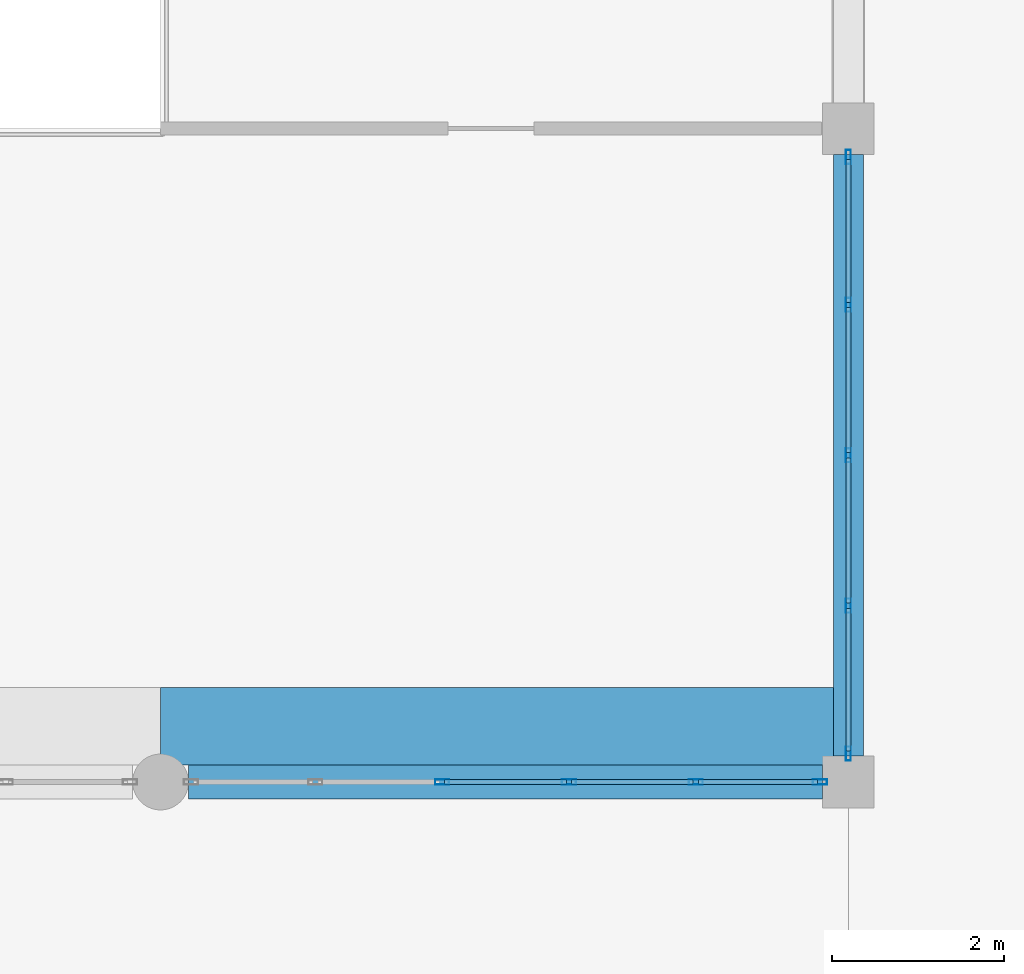
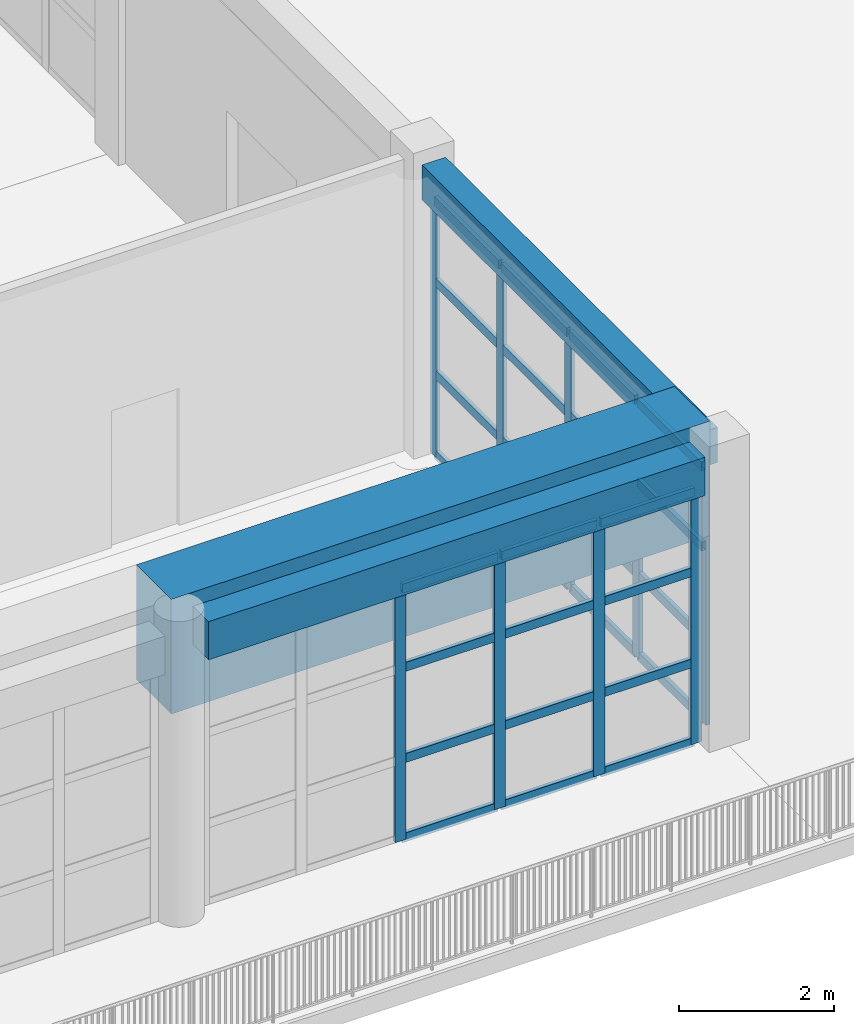
# One storey, part 14 of 32: 37 members, 3 beams, 2 elements without a shape of their own.
"""IFC4 building model written with IfcOpenShell, lengths in metres."""

from ifc_helpers import new_model, si_unit, direction, frame, origin, origin_2d, place, context, subcontext, project, spatial, rectangle, hollow_rectangle, extrude, material, material_profile, profile_set, type_object, element, aggregate, save


model = new_model("IFC4")

# Units and contexts
model_context = context("Model", 3, precision=1e-05, world=origin(), true_north=direction((0.0, 1.0)))
body_context = subcontext(model_context, "Body", "Model", "MODEL_VIEW")
ifc_project = project(units=[si_unit("LENGTHUNIT", "METRE"), si_unit("AREAUNIT", "SQUARE_METRE"), si_unit("VOLUMEUNIT", "CUBIC_METRE"), si_unit("PLANEANGLEUNIT", "RADIAN"), si_unit("MASSUNIT", "GRAM", prefix="KILO")], contexts=[model_context])

# Site, building, storey
site_placement = place(None, origin())
site = spatial("IfcSite", under=ifc_project, at=site_placement, CompositionType="ELEMENT")
building_placement = place(site_placement, origin())
building = spatial("IfcBuilding", under=site, at=building_placement, Name="Zantavel Square City Hall", CompositionType="ELEMENT")
storey_placement = place(building_placement, frame((0.0, 0.0, 23.699951171875)))
storey = spatial("IfcBuildingStorey", under=building, at=storey_placement, Name="L06", CompositionType="ELEMENT", Elevation=23.699951171875)

# Curtain wall, members
ifc_material_1 = material(Name="Anodised aluminium 6063-T6", Category="aluminium")
curtain_wall_type_1 = type_object("IfcCurtainWallType", Name="Curtain Wall TRV1 7000x4030", PredefinedType="USERDEFINED", material=ifc_material_1)
curtain_wall_1_placement = place(storey_placement, origin())
curtain_wall_1 = element("IfcCurtainWall", 1, at=curtain_wall_1_placement, inside=storey, type_object=curtain_wall_type_1, Name="L06 Glazed Curtain Wall CW-L06-153", ObjectType="GLAZED CURTAIN WALL", PredefinedType="USERDEFINED")
ifc_material_profile_1 = material_profile(ifc_material_1, hollow_rectangle(XDim=0.06005859375, YDim=0.1650390625, WallThickness=0.00390625, at=origin_2d()), Name="ALU 60x165x4")
ifc_profile_set_1 = profile_set([ifc_material_profile_1], Name="Anodised aluminium 6063-T6")
member_type_1 = type_object("IfcMemberType", Name="CW Council Gallery Mullion ALU 60x165x4", PredefinedType="MULLION", material=ifc_profile_set_1)
member_1_placement = place(storey_placement, frame((104.0, 37.669921875, 0.0), z_axis=(0.0, 0.0, 1.0), x_axis=(1.0, 0.0, 0.0)))
member_1 = element("IfcMember", 2, at=member_1_placement, type_object=member_type_1, Name="CW-153 mullion 1", PredefinedType="MULLION", context=body_context, shape_type="SweptSolid", body=[
    extrude(hollow_rectangle(XDim=0.06005859375, YDim=0.1650390625, WallThickness=0.00390625, at=origin_2d()), origin(), (0.0, 0.0, 1.0), 4.030029296875),
])
member_2_placement = place(storey_placement, frame((104.0, 35.949951171875, 0.0), z_axis=(0.0, 0.0, 1.0), x_axis=(1.0, 0.0, 0.0)))
member_2 = element("IfcMember", 3, at=member_2_placement, type_object=member_type_1, Name="CW-153 mullion 2", PredefinedType="MULLION", context=body_context, shape_type="SweptSolid", body=[
    extrude(hollow_rectangle(XDim=0.06005859375, YDim=0.1650390625, WallThickness=0.00390625, at=origin_2d()), origin(), (0.0, 0.0, 1.0), 4.030029296875),
])
member_3_placement = place(storey_placement, frame((104.0, 34.199951171875, 0.0), z_axis=(0.0, 0.0, 1.0), x_axis=(1.0, 0.0, 0.0)))
member_3 = element("IfcMember", 4, at=member_3_placement, type_object=member_type_1, Name="CW-153 mullion 3", PredefinedType="MULLION", context=body_context, shape_type="SweptSolid", body=[
    extrude(hollow_rectangle(XDim=0.06005859375, YDim=0.1650390625, WallThickness=0.00390625, at=origin_2d()), origin(), (0.0, 0.0, 1.0), 4.030029296875),
])
member_4_placement = place(storey_placement, frame((104.0, 32.449951171875, 0.0), z_axis=(0.0, 0.0, 1.0), x_axis=(1.0, 0.0, 0.0)))
member_4 = element("IfcMember", 5, at=member_4_placement, type_object=member_type_1, Name="CW-153 mullion 4", PredefinedType="MULLION", context=body_context, shape_type="SweptSolid", body=[
    extrude(hollow_rectangle(XDim=0.06005859375, YDim=0.1650390625, WallThickness=0.00390625, at=origin_2d()), origin(), (0.0, 0.0, 1.0), 4.030029296875),
])
member_5_placement = place(storey_placement, frame((104.0, 30.72998046875, 0.0), z_axis=(0.0, 0.0, 1.0), x_axis=(1.0, 0.0, 0.0)))
member_5 = element("IfcMember", 6, at=member_5_placement, type_object=member_type_1, Name="CW-153 mullion 5", PredefinedType="MULLION", context=body_context, shape_type="SweptSolid", body=[
    extrude(hollow_rectangle(XDim=0.06005859375, YDim=0.1650390625, WallThickness=0.00390625, at=origin_2d()), origin(), (0.0, 0.0, 1.0), 4.030029296875),
])

curtain_wall_type_2 = type_object("IfcCurtainWallType", Name="Curtain Wall TRV1 7375x3980", PredefinedType="USERDEFINED", material=ifc_material_1)
curtain_wall_2_placement = place(storey_placement, origin())
curtain_wall_2 = element("IfcCurtainWall", 7, at=curtain_wall_2_placement, inside=storey, type_object=curtain_wall_type_2, Name="L06 Glazed Curtain Wall CW-L06-154", ObjectType="GLAZED CURTAIN WALL", PredefinedType="USERDEFINED")
member_6_placement = place(storey_placement, frame((103.669921875, 30.39990234375, 0.0), z_axis=(0.0, 0.0, 1.0), x_axis=(0.0, -1.0, 0.0)))
member_6 = element("IfcMember", 8, at=member_6_placement, type_object=member_type_1, Name="CW-154 mullion 1", PredefinedType="MULLION", context=body_context, shape_type="SweptSolid", body=[
    extrude(hollow_rectangle(XDim=0.06005859375, YDim=0.1650390625, WallThickness=0.00390625, at=origin_2d()), origin(), (0.0, 0.0, 1.0), 3.97998046875),
])
member_7_placement = place(storey_placement, frame((102.22509765625, 30.39990234375, 0.0), z_axis=(0.0, 0.0, 1.0), x_axis=(0.0, -1.0, 0.0)))
member_7 = element("IfcMember", 9, at=member_7_placement, type_object=member_type_1, Name="CW-154 mullion 2", PredefinedType="MULLION", context=body_context, shape_type="SweptSolid", body=[
    extrude(hollow_rectangle(XDim=0.06005859375, YDim=0.1650390625, WallThickness=0.00390625, at=origin_2d()), origin(), (0.0, 0.0, 1.0), 3.97998046875),
])
member_8_placement = place(storey_placement, frame((100.75, 30.39990234375, 0.0), z_axis=(0.0, 0.0, 1.0), x_axis=(0.0, -1.0, 0.0)))
member_8 = element("IfcMember", 10, at=member_8_placement, type_object=member_type_1, Name="CW-154 mullion 3", PredefinedType="MULLION", context=body_context, shape_type="SweptSolid", body=[
    extrude(hollow_rectangle(XDim=0.06005859375, YDim=0.1650390625, WallThickness=0.00390625, at=origin_2d()), origin(), (0.0, 0.0, 1.0), 3.97998046875),
])
member_9_placement = place(storey_placement, frame((99.27490234375, 30.39990234375, 0.0), z_axis=(0.0, 0.0, 1.0), x_axis=(0.0, -1.0, 0.0)))
member_9 = element("IfcMember", 11, at=member_9_placement, type_object=member_type_1, Name="CW-154 mullion 4", PredefinedType="MULLION", context=body_context, shape_type="SweptSolid", body=[
    extrude(hollow_rectangle(XDim=0.06005859375, YDim=0.1650390625, WallThickness=0.00390625, at=origin_2d()), origin(), (0.0, 0.0, 1.0), 3.97998046875),
])

# Member
ifc_material_profile_2 = material_profile(ifc_material_1, hollow_rectangle(XDim=0.06005859375, YDim=0.139892578125, WallThickness=0.00390625, at=origin_2d()), Name="ALU 60x140x4")
ifc_profile_set_2 = profile_set([ifc_material_profile_2], Name="Anodised aluminium 6063-T6")
member_type_2 = type_object("IfcMemberType", Name="CW Transom ALU 60x140x4", PredefinedType="USERDEFINED", material=ifc_profile_set_2)
member_10_placement = place(storey_placement, frame((104.0, 37.639892578125, 0.030029296875), z_axis=(0.0, -1.0, 0.0), x_axis=(1.0, 0.0, 0.0)))
member_10 = element("IfcMember", 12, at=member_10_placement, type_object=member_type_2, Name="CW-153 transom 1.1", ObjectType="TRANSOM", PredefinedType="USERDEFINED", context=body_context, shape_type="SweptSolid", body=[
    extrude(hollow_rectangle(XDim=0.06005859375, YDim=0.139892578125, WallThickness=0.00390625, at=origin_2d()), origin(), (0.0, 0.0, 1.0), 1.659912109375),
])

member_11_placement = place(storey_placement, frame((104.0, 37.639892578125, 1.2900390625), z_axis=(0.0, -1.0, 0.0), x_axis=(1.0, 0.0, 0.0)))
member_11 = element("IfcMember", 13, at=member_11_placement, type_object=member_type_2, Name="CW-153 transom 1.2", ObjectType="TRANSOM", PredefinedType="USERDEFINED", context=body_context, shape_type="SweptSolid", body=[
    extrude(hollow_rectangle(XDim=0.06005859375, YDim=0.139892578125, WallThickness=0.00390625, at=origin_2d()), origin(), (0.0, 0.0, 1.0), 1.659912109375),
])

member_12_placement = place(storey_placement, frame((104.0, 37.639892578125, 2.739990234375), z_axis=(0.0, -1.0, 0.0), x_axis=(1.0, 0.0, 0.0)))
member_12 = element("IfcMember", 14, at=member_12_placement, type_object=member_type_2, Name="CW-153 transom 1.3", ObjectType="TRANSOM", PredefinedType="USERDEFINED", context=body_context, shape_type="SweptSolid", body=[
    extrude(hollow_rectangle(XDim=0.06005859375, YDim=0.139892578125, WallThickness=0.00390625, at=origin_2d()), origin(), (0.0, 0.0, 1.0), 1.659912109375),
])

member_13_placement = place(storey_placement, frame((104.0, 37.639892578125, 4.0), z_axis=(0.0, -1.0, 0.0), x_axis=(1.0, 0.0, 0.0)))
member_13 = element("IfcMember", 15, at=member_13_placement, type_object=member_type_2, Name="CW-153 transom 1.4", ObjectType="TRANSOM", PredefinedType="USERDEFINED", context=body_context, shape_type="SweptSolid", body=[
    extrude(hollow_rectangle(XDim=0.06005859375, YDim=0.139892578125, WallThickness=0.00390625, at=origin_2d()), origin(), (0.0, 0.0, 1.0), 1.659912109375),
])

member_14_placement = place(storey_placement, frame((104.0, 35.919921875, 0.030029296875), z_axis=(0.0, -1.0, 0.0), x_axis=(1.0, 0.0, 0.0)))
member_14 = element("IfcMember", 16, at=member_14_placement, type_object=member_type_2, Name="CW-153 transom 2.1", ObjectType="TRANSOM", PredefinedType="USERDEFINED", context=body_context, shape_type="SweptSolid", body=[
    extrude(hollow_rectangle(XDim=0.06005859375, YDim=0.139892578125, WallThickness=0.00390625, at=origin_2d()), origin(), (0.0, 0.0, 1.0), 1.68994140625),
])

member_15_placement = place(storey_placement, frame((104.0, 35.919921875, 1.2900390625), z_axis=(0.0, -1.0, 0.0), x_axis=(1.0, 0.0, 0.0)))
member_15 = element("IfcMember", 17, at=member_15_placement, type_object=member_type_2, Name="CW-153 transom 2.2", ObjectType="TRANSOM", PredefinedType="USERDEFINED", context=body_context, shape_type="SweptSolid", body=[
    extrude(hollow_rectangle(XDim=0.06005859375, YDim=0.139892578125, WallThickness=0.00390625, at=origin_2d()), origin(), (0.0, 0.0, 1.0), 1.68994140625),
])

member_16_placement = place(storey_placement, frame((104.0, 35.919921875, 2.739990234375), z_axis=(0.0, -1.0, 0.0), x_axis=(1.0, 0.0, 0.0)))
member_16 = element("IfcMember", 18, at=member_16_placement, type_object=member_type_2, Name="CW-153 transom 2.3", ObjectType="TRANSOM", PredefinedType="USERDEFINED", context=body_context, shape_type="SweptSolid", body=[
    extrude(hollow_rectangle(XDim=0.06005859375, YDim=0.139892578125, WallThickness=0.00390625, at=origin_2d()), origin(), (0.0, 0.0, 1.0), 1.68994140625),
])

member_17_placement = place(storey_placement, frame((104.0, 35.919921875, 4.0), z_axis=(0.0, -1.0, 0.0), x_axis=(1.0, 0.0, 0.0)))
member_17 = element("IfcMember", 19, at=member_17_placement, type_object=member_type_2, Name="CW-153 transom 2.4", ObjectType="TRANSOM", PredefinedType="USERDEFINED", context=body_context, shape_type="SweptSolid", body=[
    extrude(hollow_rectangle(XDim=0.06005859375, YDim=0.139892578125, WallThickness=0.00390625, at=origin_2d()), origin(), (0.0, 0.0, 1.0), 1.68994140625),
])

member_18_placement = place(storey_placement, frame((104.0, 34.169921875, 0.030029296875), z_axis=(0.0, -1.0, 0.0), x_axis=(1.0, 0.0, 0.0)))
member_18 = element("IfcMember", 20, at=member_18_placement, type_object=member_type_2, Name="CW-153 transom 3.1", ObjectType="TRANSOM", PredefinedType="USERDEFINED", context=body_context, shape_type="SweptSolid", body=[
    extrude(hollow_rectangle(XDim=0.06005859375, YDim=0.139892578125, WallThickness=0.00390625, at=origin_2d()), origin(), (0.0, 0.0, 1.0), 1.68994140625),
])

member_19_placement = place(storey_placement, frame((104.0, 34.169921875, 1.2900390625), z_axis=(0.0, -1.0, 0.0), x_axis=(1.0, 0.0, 0.0)))
member_19 = element("IfcMember", 21, at=member_19_placement, type_object=member_type_2, Name="CW-153 transom 3.2", ObjectType="TRANSOM", PredefinedType="USERDEFINED", context=body_context, shape_type="SweptSolid", body=[
    extrude(hollow_rectangle(XDim=0.06005859375, YDim=0.139892578125, WallThickness=0.00390625, at=origin_2d()), origin(), (0.0, 0.0, 1.0), 1.68994140625),
])

member_20_placement = place(storey_placement, frame((104.0, 34.169921875, 2.739990234375), z_axis=(0.0, -1.0, 0.0), x_axis=(1.0, 0.0, 0.0)))
member_20 = element("IfcMember", 22, at=member_20_placement, type_object=member_type_2, Name="CW-153 transom 3.3", ObjectType="TRANSOM", PredefinedType="USERDEFINED", context=body_context, shape_type="SweptSolid", body=[
    extrude(hollow_rectangle(XDim=0.06005859375, YDim=0.139892578125, WallThickness=0.00390625, at=origin_2d()), origin(), (0.0, 0.0, 1.0), 1.68994140625),
])

member_21_placement = place(storey_placement, frame((104.0, 34.169921875, 4.0), z_axis=(0.0, -1.0, 0.0), x_axis=(1.0, 0.0, 0.0)))
member_21 = element("IfcMember", 23, at=member_21_placement, type_object=member_type_2, Name="CW-153 transom 3.4", ObjectType="TRANSOM", PredefinedType="USERDEFINED", context=body_context, shape_type="SweptSolid", body=[
    extrude(hollow_rectangle(XDim=0.06005859375, YDim=0.139892578125, WallThickness=0.00390625, at=origin_2d()), origin(), (0.0, 0.0, 1.0), 1.68994140625),
])

member_22_placement = place(storey_placement, frame((104.0, 32.419921875, 0.030029296875), z_axis=(0.0, -1.0, 0.0), x_axis=(1.0, 0.0, 0.0)))
member_22 = element("IfcMember", 24, at=member_22_placement, type_object=member_type_2, Name="CW-153 transom 4.1", ObjectType="TRANSOM", PredefinedType="USERDEFINED", context=body_context, shape_type="SweptSolid", body=[
    extrude(hollow_rectangle(XDim=0.06005859375, YDim=0.139892578125, WallThickness=0.00390625, at=origin_2d()), origin(), (0.0, 0.0, 1.0), 1.659912109375),
])

member_23_placement = place(storey_placement, frame((104.0, 32.419921875, 1.2900390625), z_axis=(0.0, -1.0, 0.0), x_axis=(1.0, 0.0, 0.0)))
member_23 = element("IfcMember", 25, at=member_23_placement, type_object=member_type_2, Name="CW-153 transom 4.2", ObjectType="TRANSOM", PredefinedType="USERDEFINED", context=body_context, shape_type="SweptSolid", body=[
    extrude(hollow_rectangle(XDim=0.06005859375, YDim=0.139892578125, WallThickness=0.00390625, at=origin_2d()), origin(), (0.0, 0.0, 1.0), 1.659912109375),
])

member_24_placement = place(storey_placement, frame((104.0, 32.419921875, 2.739990234375), z_axis=(0.0, -1.0, 0.0), x_axis=(1.0, 0.0, 0.0)))
member_24 = element("IfcMember", 26, at=member_24_placement, type_object=member_type_2, Name="CW-153 transom 4.3", ObjectType="TRANSOM", PredefinedType="USERDEFINED", context=body_context, shape_type="SweptSolid", body=[
    extrude(hollow_rectangle(XDim=0.06005859375, YDim=0.139892578125, WallThickness=0.00390625, at=origin_2d()), origin(), (0.0, 0.0, 1.0), 1.659912109375),
])

member_25_placement = place(storey_placement, frame((104.0, 32.419921875, 4.0), z_axis=(0.0, -1.0, 0.0), x_axis=(1.0, 0.0, 0.0)))
member_25 = element("IfcMember", 27, at=member_25_placement, type_object=member_type_2, Name="CW-153 transom 4.4", ObjectType="TRANSOM", PredefinedType="USERDEFINED", context=body_context, shape_type="SweptSolid", body=[
    extrude(hollow_rectangle(XDim=0.06005859375, YDim=0.139892578125, WallThickness=0.00390625, at=origin_2d()), origin(), (0.0, 0.0, 1.0), 1.659912109375),
])

aggregate(curtain_wall_1, [member_1, member_2, member_3, member_4, member_5, member_10, member_11, member_12, member_13, member_14, member_15, member_16, member_17, member_18, member_19, member_20, member_21, member_22, member_23, member_24, member_25])

member_26_placement = place(storey_placement, frame((103.639892578125, 30.39990234375, 0.030029296875), z_axis=(-1.0, 0.0, 0.0), x_axis=(0.0, -1.0, 0.0)))
member_26 = element("IfcMember", 28, at=member_26_placement, type_object=member_type_2, Name="CW-154 transom 1.1", ObjectType="TRANSOM", PredefinedType="USERDEFINED", context=body_context, shape_type="SweptSolid", body=[
    extrude(hollow_rectangle(XDim=0.06005859375, YDim=0.139892578125, WallThickness=0.00390625, at=origin_2d()), origin(), (0.0, 0.0, 1.0), 1.385009765625),
])

member_27_placement = place(storey_placement, frame((103.639892578125, 30.39990234375, 1.274169921875), z_axis=(-1.0, 0.0, 0.0), x_axis=(0.0, -1.0, 0.0)))
member_27 = element("IfcMember", 29, at=member_27_placement, type_object=member_type_2, Name="CW-154 transom 1.2", ObjectType="TRANSOM", PredefinedType="USERDEFINED", context=body_context, shape_type="SweptSolid", body=[
    extrude(hollow_rectangle(XDim=0.06005859375, YDim=0.139892578125, WallThickness=0.00390625, at=origin_2d()), origin(), (0.0, 0.0, 1.0), 1.385009765625),
])

member_28_placement = place(storey_placement, frame((103.639892578125, 30.39990234375, 2.7060546875), z_axis=(-1.0, 0.0, 0.0), x_axis=(0.0, -1.0, 0.0)))
member_28 = element("IfcMember", 30, at=member_28_placement, type_object=member_type_2, Name="CW-154 transom 1.3", ObjectType="TRANSOM", PredefinedType="USERDEFINED", context=body_context, shape_type="SweptSolid", body=[
    extrude(hollow_rectangle(XDim=0.06005859375, YDim=0.139892578125, WallThickness=0.00390625, at=origin_2d()), origin(), (0.0, 0.0, 1.0), 1.385009765625),
])

member_29_placement = place(storey_placement, frame((103.639892578125, 30.39990234375, 3.949951171875), z_axis=(-1.0, 0.0, 0.0), x_axis=(0.0, -1.0, 0.0)))
member_29 = element("IfcMember", 31, at=member_29_placement, type_object=member_type_2, Name="CW-154 transom 1.4", ObjectType="TRANSOM", PredefinedType="USERDEFINED", context=body_context, shape_type="SweptSolid", body=[
    extrude(hollow_rectangle(XDim=0.06005859375, YDim=0.139892578125, WallThickness=0.00390625, at=origin_2d()), origin(), (0.0, 0.0, 1.0), 1.385009765625),
])

member_30_placement = place(storey_placement, frame((102.195068359375, 30.39990234375, 0.030029296875), z_axis=(-1.0, 0.0, 0.0), x_axis=(0.0, -1.0, 0.0)))
member_30 = element("IfcMember", 32, at=member_30_placement, type_object=member_type_2, Name="CW-154 transom 2.1", ObjectType="TRANSOM", PredefinedType="USERDEFINED", context=body_context, shape_type="SweptSolid", body=[
    extrude(hollow_rectangle(XDim=0.06005859375, YDim=0.139892578125, WallThickness=0.00390625, at=origin_2d()), origin(), (0.0, 0.0, 1.0), 1.4150390625),
])

member_31_placement = place(storey_placement, frame((102.195068359375, 30.39990234375, 1.274169921875), z_axis=(-1.0, 0.0, 0.0), x_axis=(0.0, -1.0, 0.0)))
member_31 = element("IfcMember", 33, at=member_31_placement, type_object=member_type_2, Name="CW-154 transom 2.2", ObjectType="TRANSOM", PredefinedType="USERDEFINED", context=body_context, shape_type="SweptSolid", body=[
    extrude(hollow_rectangle(XDim=0.06005859375, YDim=0.139892578125, WallThickness=0.00390625, at=origin_2d()), origin(), (0.0, 0.0, 1.0), 1.4150390625),
])

member_32_placement = place(storey_placement, frame((102.195068359375, 30.39990234375, 2.7060546875), z_axis=(-1.0, 0.0, 0.0), x_axis=(0.0, -1.0, 0.0)))
member_32 = element("IfcMember", 34, at=member_32_placement, type_object=member_type_2, Name="CW-154 transom 2.3", ObjectType="TRANSOM", PredefinedType="USERDEFINED", context=body_context, shape_type="SweptSolid", body=[
    extrude(hollow_rectangle(XDim=0.06005859375, YDim=0.139892578125, WallThickness=0.00390625, at=origin_2d()), origin(), (0.0, 0.0, 1.0), 1.4150390625),
])

member_33_placement = place(storey_placement, frame((102.195068359375, 30.39990234375, 3.949951171875), z_axis=(-1.0, 0.0, 0.0), x_axis=(0.0, -1.0, 0.0)))
member_33 = element("IfcMember", 35, at=member_33_placement, type_object=member_type_2, Name="CW-154 transom 2.4", ObjectType="TRANSOM", PredefinedType="USERDEFINED", context=body_context, shape_type="SweptSolid", body=[
    extrude(hollow_rectangle(XDim=0.06005859375, YDim=0.139892578125, WallThickness=0.00390625, at=origin_2d()), origin(), (0.0, 0.0, 1.0), 1.4150390625),
])

member_34_placement = place(storey_placement, frame((100.719970703125, 30.39990234375, 0.030029296875), z_axis=(-1.0, 0.0, 0.0), x_axis=(0.0, -1.0, 0.0)))
member_34 = element("IfcMember", 36, at=member_34_placement, type_object=member_type_2, Name="CW-154 transom 3.1", ObjectType="TRANSOM", PredefinedType="USERDEFINED", context=body_context, shape_type="SweptSolid", body=[
    extrude(hollow_rectangle(XDim=0.06005859375, YDim=0.139892578125, WallThickness=0.00390625, at=origin_2d()), origin(), (0.0, 0.0, 1.0), 1.4150390625),
])

member_35_placement = place(storey_placement, frame((100.719970703125, 30.39990234375, 1.274169921875), z_axis=(-1.0, 0.0, 0.0), x_axis=(0.0, -1.0, 0.0)))
member_35 = element("IfcMember", 37, at=member_35_placement, type_object=member_type_2, Name="CW-154 transom 3.2", ObjectType="TRANSOM", PredefinedType="USERDEFINED", context=body_context, shape_type="SweptSolid", body=[
    extrude(hollow_rectangle(XDim=0.06005859375, YDim=0.139892578125, WallThickness=0.00390625, at=origin_2d()), origin(), (0.0, 0.0, 1.0), 1.4150390625),
])

member_36_placement = place(storey_placement, frame((100.719970703125, 30.39990234375, 2.7060546875), z_axis=(-1.0, 0.0, 0.0), x_axis=(0.0, -1.0, 0.0)))
member_36 = element("IfcMember", 38, at=member_36_placement, type_object=member_type_2, Name="CW-154 transom 3.3", ObjectType="TRANSOM", PredefinedType="USERDEFINED", context=body_context, shape_type="SweptSolid", body=[
    extrude(hollow_rectangle(XDim=0.06005859375, YDim=0.139892578125, WallThickness=0.00390625, at=origin_2d()), origin(), (0.0, 0.0, 1.0), 1.4150390625),
])

member_37_placement = place(storey_placement, frame((100.719970703125, 30.39990234375, 3.949951171875), z_axis=(-1.0, 0.0, 0.0), x_axis=(0.0, -1.0, 0.0)))
member_37 = element("IfcMember", 39, at=member_37_placement, type_object=member_type_2, Name="CW-154 transom 3.4", ObjectType="TRANSOM", PredefinedType="USERDEFINED", context=body_context, shape_type="SweptSolid", body=[
    extrude(hollow_rectangle(XDim=0.06005859375, YDim=0.139892578125, WallThickness=0.00390625, at=origin_2d()), origin(), (0.0, 0.0, 1.0), 1.4150390625),
])

aggregate(curtain_wall_2, [member_6, member_7, member_8, member_9, member_26, member_27, member_28, member_29, member_30, member_31, member_32, member_33, member_34, member_35, member_36, member_37])

# Beams
ifc_material_2 = material(Name="Concrete C35/45", Category="concrete")
ifc_material_profile_3 = material_profile(ifc_material_2, rectangle(XDim=0.39990234375, YDim=0.60009765625, at=origin_2d()), Name="RC 400x600")
ifc_profile_set_3 = profile_set([ifc_material_profile_3], Name="Concrete C35/45")
beam_type_1 = type_object("IfcBeamType", Name="Perimeter Spandrel RC 400x600 C35/45", PredefinedType="SPANDREL", material=ifc_profile_set_3)
beam_1_placement = place(storey_placement, frame((96.324951171875, 30.39990234375, 4.280029296875), z_axis=(1.0, 0.0, 0.0), x_axis=(0.0, 1.0, 0.0)))
element("IfcBeam", 40, at=beam_1_placement, inside=storey, type_object=beam_type_1, Name="L06 Girder BMX-L06-0960-0304", PredefinedType="SPANDREL", context=body_context, shape_type="SweptSolid", body=[
    extrude(rectangle(XDim=0.39990234375, YDim=0.60009765625, at=origin_2d()), origin(), (0.0, 0.0, 1.0), 7.375),
])
ifc_material_profile_4 = material_profile(ifc_material_2, rectangle(XDim=0.35009765625, YDim=0.550048828125, at=origin_2d()), Name="RC 350x550")
ifc_profile_set_4 = profile_set([ifc_material_profile_4], Name="Concrete C35/45")
beam_type_2 = type_object("IfcBeamType", Name="Secondary Beam RC 350x550 C35/45", PredefinedType="BEAM", material=ifc_profile_set_4)
beam_2_placement = place(storey_placement, frame((104.0, 30.699951171875, 4.304931640625), z_axis=(0.0, 1.0, 0.0), x_axis=(-1.0, 0.0, 0.0)))
element("IfcBeam", 41, at=beam_2_placement, inside=storey, type_object=beam_type_2, Name="L06 Beam BMY-L06-1040-0304", PredefinedType="BEAM", context=body_context, shape_type="SweptSolid", body=[
    extrude(rectangle(XDim=0.35009765625, YDim=0.550048828125, at=origin_2d()), origin(), (0.0, 0.0, 1.0), 7.0),
])
ifc_material_3 = material(Name="Concrete C40/50", Category="concrete")
ifc_material_profile_5 = material_profile(ifc_material_3, rectangle(XDim=0.89990234375, YDim=1.800048828125, at=origin_2d()), Name="RC 900x1800")
ifc_profile_set_5 = profile_set([ifc_material_profile_5], Name="Concrete C40/50")
beam_type_3 = type_object("IfcBeamType", Name="Transfer Girder RC 900x1800 C40/50", PredefinedType="BEAM", material=ifc_profile_set_5)
beam_3_placement = place(storey_placement, frame((96.0, 31.050048828125, 3.900146484375), z_axis=(1.0, 0.0, 0.0), x_axis=(0.0, 1.0, 0.0)))
element("IfcBeam", 42, at=beam_3_placement, inside=storey, type_object=beam_type_3, Name="Vault Thrust Transfer Girder S-5", PredefinedType="BEAM", context=body_context, shape_type="SweptSolid", body=[
    extrude(rectangle(XDim=0.89990234375, YDim=1.800048828125, at=origin_2d()), origin(), (0.0, 0.0, 1.0), 8.0),
])

save(model, "model.ifc")
